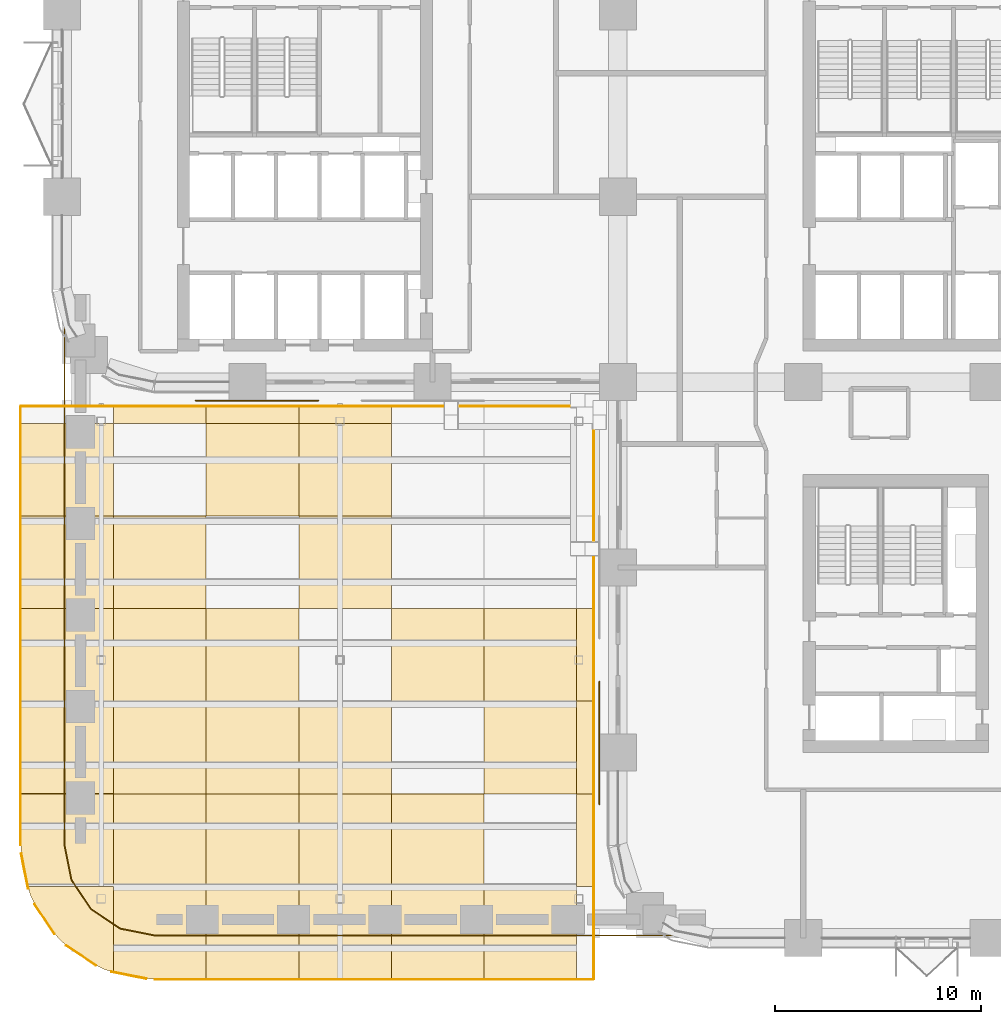
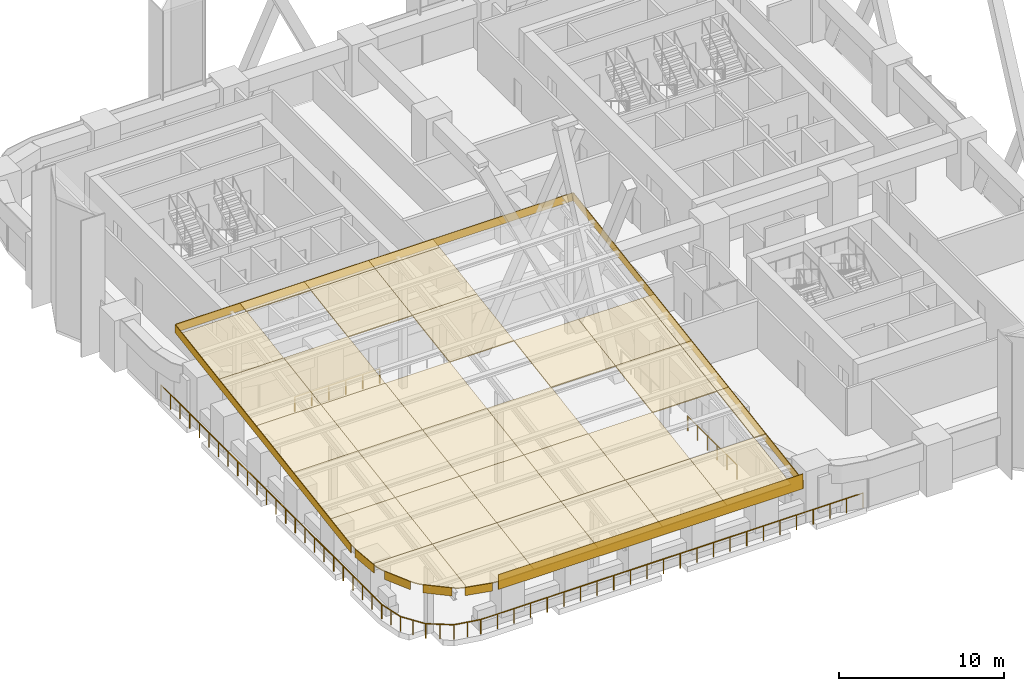
# One storey, part 19 of 22: 41 coverings, 3 railings.
"""IFC4 building model written with IfcOpenShell, lengths in metres."""

from ifc_helpers import new_model, si_unit, direction, frame, origin, origin_2d, place, context, subcontext, project, spatial, polyline, circle, outline, extrude, material, layer, layer_set, type_object, element, save


model = new_model("IFC4")

# Units and contexts
model_context = context("Model", 3, precision=1e-05, world=origin(), true_north=direction((0.0, 1.0)))
body_context = subcontext(model_context, "Body", "Model", "MODEL_VIEW")
ifc_project = project(units=[si_unit("LENGTHUNIT", "METRE"), si_unit("AREAUNIT", "SQUARE_METRE"), si_unit("VOLUMEUNIT", "CUBIC_METRE"), si_unit("PLANEANGLEUNIT", "RADIAN"), si_unit("MASSUNIT", "GRAM", prefix="KILO")], contexts=[model_context])

# Site, building, storey
site_placement = place(None, origin())
site = spatial("IfcSite", under=ifc_project, at=site_placement, CompositionType="ELEMENT")
building_placement = place(site_placement, origin())
building = spatial("IfcBuilding", under=site, at=building_placement, Name="Tessera Arch", CompositionType="ELEMENT")
storey_placement = place(building_placement, frame((0.0, 0.0, 77.800048828125)))
storey = spatial("IfcBuildingStorey", under=building, at=storey_placement, Name="L17", CompositionType="ELEMENT", Elevation=77.800048828125)

# Coverings
ifc_material_1 = material(Name="Aluminium cladding pale metal anodised", Category="aluminium")
ifc_layer_1 = layer(ifc_material_1, 0.0400390625)
ifc_layer_set_1 = layer_set([ifc_layer_1], Name="Canopy fascia pale metal")
covering_type_1 = type_object("IfcCoveringType", Name="Canopy fascia pale metal", PredefinedType="CLADDING", material=ifc_layer_set_1)
covering_1_placement = place(storey_placement, frame((25.800048828125, -2.0, 5.199951171875), z_axis=(-1.0, 0.0, 0.0), x_axis=(0.0, 0.987688444909, 0.156433806426)))
element("IfcCovering", 1, at=covering_1_placement, inside=storey, type_object=covering_type_1, Name="CANOPY T4 fascia 1", PredefinedType="CLADDING", context=body_context, shape_type="SweptSolid", body=[
    extrude(outline(polyline([(0.0, 0.0), (28.146576960999496, 0.0), (28.052701400404914, 0.5927095208951814), (-0.09387556059458327, 0.5927095208951817), (0.0, 0.0)])), origin(), (0.0, 0.0, -1.0), 0.0400390625),
])
covering_2_placement = place(storey_placement, frame((25.800048828125, 25.800048828125, 9.60302734375), z_axis=(0.0, -1.0, 0.0), x_axis=(-1.0, 0.0, 0.0)))
element("IfcCovering", 2, at=covering_2_placement, inside=storey, type_object=covering_type_1, Name="CANOPY T4 fascia 2", PredefinedType="CLADDING", context=body_context, shape_type="SweptSolid", body=[
    extrude(outline(polyline([(0.0, 0.0), (27.800048828125, 0.0), (27.800048828125, 0.60009765625), (0.0, 0.60009765625), (0.0, 0.0)])), origin(), (0.0, 0.0, -1.0), 0.0400390625),
])
covering_3_placement = place(storey_placement, frame((-2.0, 25.800048828125, 9.60302734375), z_axis=(1.0, 0.0, 0.0), x_axis=(0.0, -0.987689419787, -0.156427651141)))
element("IfcCovering", 3, at=covering_3_placement, inside=storey, type_object=covering_type_1, Name="CANOPY T4 fascia 3", PredefinedType="CLADDING", context=body_context, shape_type="SweptSolid", body=[
    extrude(outline(polyline([(0.0, 0.0), (21.564544318218562, 0.0), (21.65841618504097, 0.5927101059168969), (0.09387186682240876, 0.5927101059168969), (0.0, 0.0)])), origin(), (0.0, 0.0, -1.0), 0.0400390625),
])
covering_4_placement = place(storey_placement, frame((-1.96142578125, 4.10888671875, 6.16748046875), z_axis=(0.980778374738, 0.195125035928, 0.0), x_axis=(0.192813966517, -0.969161993015, -0.15345294266)))
element("IfcCovering", 4, at=covering_4_placement, inside=storey, type_object=covering_type_1, Name="CANOPY T4 fascia 7", PredefinedType="CLADDING", context=body_context, shape_type="SweptSolid", body=[
    extrude(outline(polyline([(0.0, 0.0), (1.7739431525801836, -5.551115123125783e-17), (1.8660299038151198, 0.5929900735119755), (0.0920867512349362, 0.5929900735119756), (0.0, 0.0)])), origin(), (0.0, 0.0, -1.0), 0.0400390625),
])
covering_5_placement = place(storey_placement, frame((-1.3193359375, 1.6650390625, 5.780517578125), z_axis=(0.831428006963, 0.555632494764, 0.0), x_axis=(0.550875866503, -0.824310363571, -0.13056877197)))
element("IfcCovering", 5, at=covering_5_placement, inside=storey, type_object=covering_type_1, Name="CANOPY T4 fascia 13", PredefinedType="CLADDING", context=body_context, shape_type="SweptSolid", body=[
    extrude(outline(polyline([(0.0, 0.0), (1.766983690997227, 2.7755575615628914e-17), (1.8453377050360258, 0.5949603730676111), (0.07835401403879873, 0.5949603730676111), (0.0, 0.0)])), origin(), (0.0, 0.0, -1.0), 0.0400390625),
])
covering_6_placement = place(storey_placement, frame((0.20849609375, -0.345947265625, 5.4619140625), z_axis=(0.555632494764, 0.831428006963, 0.0), x_axis=(0.828231863273, -0.553496553616, -0.087598777359)))
element("IfcCovering", 6, at=covering_6_placement, inside=storey, type_object=covering_type_1, Name="CANOPY T4 fascia 19", PredefinedType="CLADDING", context=body_context, shape_type="SweptSolid", body=[
    extrude(outline(polyline([(0.0, 0.0), (1.7586174033365118, -2.7755575615628914e-17), (1.811185224320171, 0.5977907838314114), (0.05254643456340548, 0.5975475817224483), (0.0, 0.0)])), origin(), (0.0, 0.0, -1.0), 0.0400390625),
])
covering_7_placement = place(storey_placement, frame((2.3896484375, -1.619384765625, 5.26025390625), z_axis=(0.195125035928, 0.980778374738, 0.0), x_axis=(0.980309900941, -0.195031833459, -0.030904401876)))
element("IfcCovering", 7, at=covering_7_placement, inside=storey, type_object=covering_type_1, Name="CANOPY T4 fascia 25", PredefinedType="CLADDING", context=body_context, shape_type="SweptSolid", body=[
    extrude(outline(polyline([(0.0, 0.0), (1.753770190018734, -6.938893903907228e-18), (1.7723158491521627, 0.599811016541085), (0.018545659133428778, 0.599811016541085), (0.0, 0.0)])), origin(), (0.0, 0.0, -1.0), 0.0400390625),
])
covering_8_placement = place(storey_placement, frame((4.5009765625, -2.0, 5.699951171875), z_axis=(0.0, 1.0, 0.0), x_axis=(1.0, 0.0, 0.0)))
element("IfcCovering", 8, at=covering_8_placement, inside=storey, type_object=covering_type_1, Name="CANOPY T4 fascia 29", PredefinedType="CLADDING", context=body_context, shape_type="SweptSolid", body=[
    extrude(outline(polyline([(0.0, 0.0), (21.299072265625, 0.0), (21.299072265625, 1.10009765625), (0.0, 1.10009765625), (0.0, 0.0)])), origin(), (0.0, 0.0, -1.0), 0.0400390625),
])
ifc_material_2 = material(Name="Aluminium cladding pale metal anodised", Category="aluminium")
ifc_layer_2 = layer(ifc_material_2, 0.080078125)
ifc_layer_set_2 = layer_set([ifc_layer_2], Name="Canopy panel pale metal")
covering_type_2 = type_object("IfcCoveringType", Name="Canopy panel pale metal", PredefinedType="CLADDING", material=ifc_layer_set_2)
covering_9_placement = place(storey_placement, frame((2.5, 2.5, 5.91259765625), z_axis=(8.891275e-06, -0.156394356386, 0.987694692307), x_axis=(-0.99999999996, -1.390545e-06, 8.781865e-06)))
element("IfcCovering", 9, at=covering_9_placement, inside=storey, type_object=covering_type_2, Name="CANOPY T4 panel 1-1", PredefinedType="CLADDING", context=body_context, shape_type="SweptSolid", body=[
    extrude(outline(polyline([(0.0, 0.0), (4.141357421711303, -8.76966545671063e-22), (4.0976562504270015, 0.20960008370753244), (4.040283202265709, 0.4006949330775962), (3.964843749408988, 0.5850881885816183), (3.8723144534454144, 0.7605714404081959), (3.81933593849055, 0.8453430650956698), (2.845947265953416, 2.3200450185447665), (2.7888183587833515, 2.40212596062184), (2.6638183583721733, 2.5563751132846324), (2.5241699217647695, 2.6975003968307565), (2.3715820316386305, 2.8242961292627196), (2.2915039057352864, 2.881411379535782), (0.8349609377135, 3.8669151825795818), (0.7519531253104847, 3.9200577038129185), (0.5778808582529025, 4.01425978719275), (0.39575195185558143, 4.090641863217693), (0.20703124918948632, 4.148721659088749), (-6.615524901620043e-11, 4.192954176644641), (0.0, 0.0)])), origin(), (0.0, 0.0, -1.0), 0.080078125),
])
covering_10_placement = place(storey_placement, frame((-1.641357421875, 2.5, 5.91259765625), z_axis=(8.571291e-06, -0.156468918039, 0.987682883123), x_axis=(0.999999999963, 1.341141e-06, -8.465718e-06)))
element("IfcCovering", 10, at=covering_10_placement, inside=storey, type_object=covering_type_2, Name="CANOPY T4 panel 1-2", PredefinedType="CLADDING", context=body_context, shape_type="SweptSolid", body=[
    extrude(outline(polyline([(0.0, 0.0), (4.141357421722874, 8.76966545671063e-22), (4.1413574217251305, 4.556118198994932), (-0.3586425781095688, 4.556118198994932), (-0.35864257932723514, 2.0259526452426537), (-0.3562011716689908, 1.925569410321855), (-0.33691406174938493, 1.7278111439353465), (-0.3200683593857594, 1.6289511109518144), (0.0, 0.0)])), origin(), (0.0, 0.0, -1.0), 0.080078125),
])
for number, where, z_axis, x_axis, name in (
    (11, (-2.0, 7.0, 6.62548828125), (0.0, -0.156416586978, 0.987691172036), (1.0, 0.0, 0.0), "CANOPY T4 panel 1-3"),
    (12, (-2.0, 11.5, 7.338134765625), (0.0, -0.156416586978, 0.987691172036), (1.0, 0.0, 0.0), "CANOPY T4 panel 1-4"),
):
    element("IfcCovering", number, at=place(storey_placement, frame(where, z_axis=z_axis, x_axis=x_axis)), inside=storey, type_object=covering_type_2, Name=name, PredefinedType="CLADDING", context=body_context, shape_type="SweptSolid", body=[
        extrude(outline(polyline([(0.0, 0.0), (4.5, 0.0), (4.5, 4.556080004970506), (0.0, 4.556080004970506), (0.0, 0.0)])), origin(), (0.0, 0.0, -1.0), 0.080078125),
    ])
covering_11_placement = place(storey_placement, frame((-2.0, 16.0, 8.05078125), z_axis=(0.0, -0.156468860961, 0.987682892203), x_axis=(1.0, 0.0, 0.0)))
element("IfcCovering", 13, at=covering_11_placement, inside=storey, type_object=covering_type_2, Name="CANOPY T4 panel 1-5", PredefinedType="CLADDING", context=body_context, shape_type="SweptSolid", body=[
    extrude(outline(polyline([(0.0, 0.0), (4.5, 0.0), (4.5, 4.556118198994939), (0.0, 4.556118198994939), (0.0, 0.0)])), origin(), (0.0, 0.0, -1.0), 0.080078125),
])
covering_12_placement = place(storey_placement, frame((-2.0, 20.5, 8.763671875), z_axis=(0.0, -0.156416586978, 0.987691172036), x_axis=(1.0, 0.0, 0.0)))
element("IfcCovering", 14, at=covering_12_placement, inside=storey, type_object=covering_type_2, Name="CANOPY T4 panel 1-6", PredefinedType="CLADDING", context=body_context, shape_type="SweptSolid", body=[
    extrude(outline(polyline([(0.0, 0.0), (4.5, 0.0), (4.5, 4.556080004970506), (0.0, 4.556080004970506), (0.0, 0.0)])), origin(), (0.0, 0.0, -1.0), 0.080078125),
])
covering_13_placement = place(storey_placement, frame((4.5009765625, -2.0, 5.199951171875), z_axis=(9.7222e-06, -0.156412823225, 0.987691768031), x_axis=(0.999999999953, 1.520677e-06, -9.602537e-06)))
element("IfcCovering", 15, at=covering_13_placement, inside=storey, type_object=covering_type_2, Name="CANOPY T4 panel 2-1", PredefinedType="CLADDING", context=body_context, shape_type="SweptSolid", body=[
    extrude(outline(polyline([(0.0, 0.0), (2.499023437381895, 0.0), (2.4990234372131015, 4.556080004937426), (-2.0009765625742264, 4.556080004937426), (-2.0009765632640644, 0.36312582888654854), (-0.39208984368178607, 0.03905410642995311), (-0.2944335935152074, 0.021995690157267992), (-0.09814453222151066, 0.0024877303045023765), (0.0, 0.0)])), origin(), (0.0, 0.0, -1.0), 0.080078125),
])
covering_14_placement = place(storey_placement, frame((7.0, 2.5, 5.91259765625), z_axis=(0.0, -0.156468860961, 0.987682892203), x_axis=(0.0, 0.987682892203, 0.156468860961)))
element("IfcCovering", 16, at=covering_14_placement, inside=storey, type_object=covering_type_2, Name="CANOPY T4 panel 2-2", PredefinedType="CLADDING", context=body_context, shape_type="SweptSolid", body=[
    extrude(outline(polyline([(0.0, 0.0), (4.556118198994939, 0.0), (4.556118198994939, 4.5), (0.0, 4.5), (0.0, 0.0)])), origin(), (0.0, 0.0, -1.0), 0.080078125),
])
for number, where, z_axis, x_axis, name in (
    (17, (7.0, 7.0, 6.62548828125), (0.0, -0.156416586978, 0.987691172036), (0.0, 0.987691172036, 0.156416586978), "CANOPY T4 panel 2-3"),
    (18, (7.0, 11.5, 7.338134765625), (0.0, -0.156416586978, 0.987691172036), (0.0, 0.987691172036, 0.156416586978), "CANOPY T4 panel 2-4"),
):
    element("IfcCovering", number, at=place(storey_placement, frame(where, z_axis=z_axis, x_axis=x_axis)), inside=storey, type_object=covering_type_2, Name=name, PredefinedType="CLADDING", context=body_context, shape_type="SweptSolid", body=[
        extrude(outline(polyline([(0.0, 0.0), (4.556080004970506, 0.0), (4.556080004970506, 4.5), (0.0, 4.5), (0.0, 0.0)])), origin(), (0.0, 0.0, -1.0), 0.080078125),
    ])
covering_15_placement = place(storey_placement, frame((7.0, 16.0, 8.05078125), z_axis=(0.0, -0.156468860961, 0.987682892203), x_axis=(0.0, 0.987682892203, 0.156468860961)))
element("IfcCovering", 19, at=covering_15_placement, inside=storey, type_object=covering_type_2, Name="CANOPY T4 panel 2-5", PredefinedType="CLADDING", context=body_context, shape_type="SweptSolid", body=[
    extrude(outline(polyline([(0.0, 0.0), (4.556118198994939, 0.0), (4.556118198994939, 4.5), (0.0, 4.5), (0.0, 0.0)])), origin(), (0.0, 0.0, -1.0), 0.080078125),
])
covering_16_placement = place(storey_placement, frame((2.5, 25.800048828125, 9.60302734375), z_axis=(0.0, -0.15642687598, 0.987689542554), x_axis=(0.0, -0.987689542554, -0.15642687598)))
element("IfcCovering", 20, at=covering_16_placement, inside=storey, type_object=covering_type_2, Name="CANOPY T4 panel 2-7", PredefinedType="CLADDING", context=body_context, shape_type="SweptSolid", body=[
    extrude(outline(polyline([(0.0, 0.0), (0.8100205516562711, 0.0), (0.8100205516562711, 4.5), (0.0, 4.5), (0.0, 0.0)])), origin(), (0.0, 0.0, -1.0), 0.080078125),
])
covering_17_placement = place(storey_placement, frame((11.5, -2.0, 5.199951171875), z_axis=(0.0, -0.156416586978, 0.987691172036), x_axis=(0.0, 0.987691172036, 0.156416586978)))
element("IfcCovering", 21, at=covering_17_placement, inside=storey, type_object=covering_type_2, Name="CANOPY T4 panel 3-1", PredefinedType="CLADDING", context=body_context, shape_type="SweptSolid", body=[
    extrude(outline(polyline([(0.0, 0.0), (4.556080004970506, 0.0), (4.556080004970506, 4.5), (0.0, 4.5), (0.0, 0.0)])), origin(), (0.0, 0.0, -1.0), 0.080078125),
])
covering_18_placement = place(storey_placement, frame((11.5, 2.5, 5.91259765625), z_axis=(0.0, -0.156468860961, 0.987682892203), x_axis=(0.0, 0.987682892203, 0.156468860961)))
element("IfcCovering", 22, at=covering_18_placement, inside=storey, type_object=covering_type_2, Name="CANOPY T4 panel 3-2", PredefinedType="CLADDING", context=body_context, shape_type="SweptSolid", body=[
    extrude(outline(polyline([(0.0, 0.0), (4.556118198994939, 0.0), (4.556118198994939, 4.5), (0.0, 4.5), (0.0, 0.0)])), origin(), (0.0, 0.0, -1.0), 0.080078125),
])
for number, where, z_axis, x_axis, name in (
    (23, (11.5, 7.0, 6.62548828125), (0.0, -0.156416586978, 0.987691172036), (0.0, 0.987691172036, 0.156416586978), "CANOPY T4 panel 3-3"),
    (24, (11.5, 11.5, 7.338134765625), (0.0, -0.156416586978, 0.987691172036), (0.0, 0.987691172036, 0.156416586978), "CANOPY T4 panel 3-4"),
    (25, (11.5, 20.5, 8.763671875), (0.0, -0.156416586978, 0.987691172036), (0.0, 0.987691172036, 0.156416586978), "CANOPY T4 panel 3-6"),
):
    element("IfcCovering", number, at=place(storey_placement, frame(where, z_axis=z_axis, x_axis=x_axis)), inside=storey, type_object=covering_type_2, Name=name, PredefinedType="CLADDING", context=body_context, shape_type="SweptSolid", body=[
        extrude(outline(polyline([(0.0, 0.0), (4.556080004970506, 0.0), (4.556080004970506, 4.5), (0.0, 4.5), (0.0, 0.0)])), origin(), (0.0, 0.0, -1.0), 0.080078125),
    ])
covering_19_placement = place(storey_placement, frame((7.0, 25.800048828125, 9.60302734375), z_axis=(0.0, -0.15642687598, 0.987689542554), x_axis=(0.0, -0.987689542554, -0.15642687598)))
element("IfcCovering", 26, at=covering_19_placement, inside=storey, type_object=covering_type_2, Name="CANOPY T4 panel 3-7", PredefinedType="CLADDING", context=body_context, shape_type="SweptSolid", body=[
    extrude(outline(polyline([(0.0, 0.0), (0.8100205516562711, 0.0), (0.8100205516562711, 4.5), (0.0, 4.5), (0.0, 0.0)])), origin(), (0.0, 0.0, -1.0), 0.080078125),
])
covering_20_placement = place(storey_placement, frame((16.0, -2.0, 5.199951171875), z_axis=(0.0, -0.156416586978, 0.987691172036), x_axis=(0.0, 0.987691172036, 0.156416586978)))
element("IfcCovering", 27, at=covering_20_placement, inside=storey, type_object=covering_type_2, Name="CANOPY T4 panel 4-1", PredefinedType="CLADDING", context=body_context, shape_type="SweptSolid", body=[
    extrude(outline(polyline([(0.0, 0.0), (4.556080004970506, 0.0), (4.556080004970506, 4.5), (0.0, 4.5), (0.0, 0.0)])), origin(), (0.0, 0.0, -1.0), 0.080078125),
])
covering_21_placement = place(storey_placement, frame((16.0, 2.5, 5.91259765625), z_axis=(0.0, -0.156468860961, 0.987682892203), x_axis=(0.0, 0.987682892203, 0.156468860961)))
element("IfcCovering", 28, at=covering_21_placement, inside=storey, type_object=covering_type_2, Name="CANOPY T4 panel 4-2", PredefinedType="CLADDING", context=body_context, shape_type="SweptSolid", body=[
    extrude(outline(polyline([(0.0, 0.0), (4.556118198994939, 0.0), (4.556118198994939, 4.5), (0.0, 4.5), (0.0, 0.0)])), origin(), (0.0, 0.0, -1.0), 0.080078125),
])
covering_22_placement = place(storey_placement, frame((16.0, 7.0, 6.62548828125), z_axis=(0.0, -0.156416586978, 0.987691172036), x_axis=(0.0, 0.987691172036, 0.156416586978)))
element("IfcCovering", 29, at=covering_22_placement, inside=storey, type_object=covering_type_2, Name="CANOPY T4 panel 4-3", PredefinedType="CLADDING", context=body_context, shape_type="SweptSolid", body=[
    extrude(outline(polyline([(0.0, 0.0), (4.556080004970506, 0.0), (4.556080004970506, 4.5), (0.0, 4.5), (0.0, 0.0)])), origin(), (0.0, 0.0, -1.0), 0.080078125),
])
covering_23_placement = place(storey_placement, frame((16.0, 16.0, 8.05078125), z_axis=(0.0, -0.156468860961, 0.987682892203), x_axis=(0.0, 0.987682892203, 0.156468860961)))
element("IfcCovering", 30, at=covering_23_placement, inside=storey, type_object=covering_type_2, Name="CANOPY T4 panel 4-5", PredefinedType="CLADDING", context=body_context, shape_type="SweptSolid", body=[
    extrude(outline(polyline([(0.0, 0.0), (4.556118198994939, 0.0), (4.556118198994939, 4.5), (0.0, 4.5), (0.0, 0.0)])), origin(), (0.0, 0.0, -1.0), 0.080078125),
])
covering_24_placement = place(storey_placement, frame((16.0, 20.5, 8.763671875), z_axis=(0.0, -0.156416586978, 0.987691172036), x_axis=(0.0, 0.987691172036, 0.156416586978)))
element("IfcCovering", 31, at=covering_24_placement, inside=storey, type_object=covering_type_2, Name="CANOPY T4 panel 4-6", PredefinedType="CLADDING", context=body_context, shape_type="SweptSolid", body=[
    extrude(outline(polyline([(0.0, 0.0), (4.556080004970506, 0.0), (4.556080004970506, 4.5), (0.0, 4.5), (0.0, 0.0)])), origin(), (0.0, 0.0, -1.0), 0.080078125),
])
covering_25_placement = place(storey_placement, frame((11.5, 25.800048828125, 9.60302734375), z_axis=(0.0, -0.15642687598, 0.987689542554), x_axis=(0.0, -0.987689542554, -0.15642687598)))
element("IfcCovering", 32, at=covering_25_placement, inside=storey, type_object=covering_type_2, Name="CANOPY T4 panel 4-7", PredefinedType="CLADDING", context=body_context, shape_type="SweptSolid", body=[
    extrude(outline(polyline([(0.0, 0.0), (0.8100205516562711, 0.0), (0.8100205516562711, 4.5), (0.0, 4.5), (0.0, 0.0)])), origin(), (0.0, 0.0, -1.0), 0.080078125),
])
covering_26_placement = place(storey_placement, frame((20.5, -2.0, 5.199951171875), z_axis=(0.0, -0.156416586978, 0.987691172036), x_axis=(0.0, 0.987691172036, 0.156416586978)))
element("IfcCovering", 33, at=covering_26_placement, inside=storey, type_object=covering_type_2, Name="CANOPY T4 panel 5-1", PredefinedType="CLADDING", context=body_context, shape_type="SweptSolid", body=[
    extrude(outline(polyline([(0.0, 0.0), (4.556080004970506, 0.0), (4.556080004970506, 4.5), (0.0, 4.5), (0.0, 0.0)])), origin(), (0.0, 0.0, -1.0), 0.080078125),
])
covering_27_placement = place(storey_placement, frame((20.5, 2.5, 5.91259765625), z_axis=(0.0, -0.156468860961, 0.987682892203), x_axis=(0.0, 0.987682892203, 0.156468860961)))
element("IfcCovering", 34, at=covering_27_placement, inside=storey, type_object=covering_type_2, Name="CANOPY T4 panel 5-2", PredefinedType="CLADDING", context=body_context, shape_type="SweptSolid", body=[
    extrude(outline(polyline([(0.0, 0.0), (4.556118198994939, 0.0), (4.556118198994939, 4.5), (0.0, 4.5), (0.0, 0.0)])), origin(), (0.0, 0.0, -1.0), 0.080078125),
])
for number, where, z_axis, x_axis, name in (
    (35, (20.5, 11.5, 7.338134765625), (0.0, -0.156416586978, 0.987691172036), (0.0, 0.987691172036, 0.156416586978), "CANOPY T4 panel 5-4"),
    (36, (25.0, -2.0, 5.199951171875), (0.0, -0.156416586978, 0.987691172036), (0.0, 0.987691172036, 0.156416586978), "CANOPY T4 panel 6-1"),
    (37, (25.0, 7.0, 6.62548828125), (0.0, -0.156416586978, 0.987691172036), (0.0, 0.987691172036, 0.156416586978), "CANOPY T4 panel 6-3"),
    (38, (25.0, 11.5, 7.338134765625), (0.0, -0.156416586978, 0.987691172036), (0.0, 0.987691172036, 0.156416586978), "CANOPY T4 panel 6-4"),
):
    element("IfcCovering", number, at=place(storey_placement, frame(where, z_axis=z_axis, x_axis=x_axis)), inside=storey, type_object=covering_type_2, Name=name, PredefinedType="CLADDING", context=body_context, shape_type="SweptSolid", body=[
        extrude(outline(polyline([(0.0, 0.0), (4.556080004970506, 0.0), (4.556080004970506, 4.5), (0.0, 4.5), (0.0, 0.0)])), origin(), (0.0, 0.0, -1.0), 0.080078125),
    ])
covering_28_placement = place(storey_placement, frame((25.800048828125, 7.0, 6.62548828125), z_axis=(0.0, -0.156468860961, 0.987682892203), x_axis=(-1.0, 0.0, 0.0)))
element("IfcCovering", 39, at=covering_28_placement, inside=storey, type_object=covering_type_2, Name="CANOPY T4 panel 7-2", PredefinedType="CLADDING", context=body_context, shape_type="SweptSolid", body=[
    extrude(outline(polyline([(0.0, 0.0), (0.800048828125, 0.0), (0.800048828125, 4.556118198994938), (0.0, 4.556118198994938), (0.0, 0.0)])), origin(), (0.0, 0.0, -1.0), 0.080078125),
])
for number, where, z_axis, x_axis, name in (
    (40, (25.800048828125, 11.5, 7.338134765625), (0.0, -0.156416586978, 0.987691172036), (-1.0, 0.0, 0.0), "CANOPY T4 panel 7-3"),
    (41, (25.800048828125, 16.0, 8.05078125), (0.0, -0.156416586978, 0.987691172036), (-1.0, 0.0, 0.0), "CANOPY T4 panel 7-4"),
):
    element("IfcCovering", number, at=place(storey_placement, frame(where, z_axis=z_axis, x_axis=x_axis)), inside=storey, type_object=covering_type_2, Name=name, PredefinedType="CLADDING", context=body_context, shape_type="SweptSolid", body=[
        extrude(outline(polyline([(0.0, 0.0), (0.800048828125, 0.0), (0.800048828125, 4.556080004970506), (0.0, 4.556080004970506), (0.0, 0.0)])), origin(), (0.0, 0.0, -1.0), 0.080078125),
    ])

# Railings
ifc_material_3 = material(Name="Stainless steel and clear glass", Category="steel")
railing_type = type_object("IfcRailingType", Name="Guard 1100", PredefinedType="GUARDRAIL", material=ifc_material_3)
railing_1_placement = place(storey_placement, frame((31.24365234375, 0.1201171875, 0.0)))
element("IfcRailing", 42, at=railing_1_placement, inside=storey, type_object=railing_type, Name="Guard tube roof terrace 1", PredefinedType="GUARDRAIL", context=body_context, shape_type="SweptSolid", body=[
    extrude(circle(Radius=0.02490234375, at=origin_2d()), frame((0.00390625, 0.0, 1.0751953125), z_axis=(-1.0, 0.0, 0.0), x_axis=(0.0, -1.0, 0.0)), (0.0, 0.0, 1.0), 26.739013671875),
    extrude(circle(Radius=0.02490234375, at=origin_2d()), frame((-26.72705078125, -0.000732421875, 1.0751953125), z_axis=(-0.980831147475, 0.194859590839, 0.0), x_axis=(-0.194859590839, -0.980831147475, 0.0)), (0.0, 0.0, 1.0), 1.72705078125),
    extrude(circle(Radius=0.02490234375, at=origin_2d()), frame((-28.41357421875, 0.332763671875, 1.0751953125), z_axis=(-0.831632230003, 0.555326781293, 0.0), x_axis=(-0.555326781293, -0.831632230003, 0.0)), (0.0, 0.0, 1.0), 1.716064453125),
    extrude(circle(Radius=0.02490234375, at=origin_2d()), frame((-29.835205078125, 1.280029296875, 1.0751953125), z_axis=(-0.555986207166, 0.831191516704, 0.0), x_axis=(-0.831191516704, -0.555986207166, 0.0)), (0.0, 0.0, 1.0), 1.7158203125),
    extrude(circle(Radius=0.02490234375, at=origin_2d()), frame((-30.7861328125, 2.698974609375, 1.0751953125), z_axis=(-0.195597844923, 0.980684191298, 0.0), x_axis=(-0.980684191298, -0.195597844923, 0.0)), (0.0, 0.0, 1.0), 1.729248046875),
    extrude(circle(Radius=0.02490234375, at=origin_2d()), frame((-31.12353515625, 4.386962890625, 1.0751953125), z_axis=(0.0, 1.0, 0.0), x_axis=(-1.0, 0.0, 0.0)), (0.0, 0.0, 1.0), 26.74072265625),
    extrude(circle(Radius=0.02001953125, at=origin_2d()), origin(), (0.0, 0.0, 1.0), 1.06201171875),
    extrude(circle(Radius=0.02001953125, at=origin_2d()), frame((-1.162109375, 0.0, 0.0)), (0.0, 0.0, 1.0), 1.06201171875),
    extrude(circle(Radius=0.02001953125, at=origin_2d()), frame((-2.324462890625, 0.0, 0.0)), (0.0, 0.0, 1.0), 1.06201171875),
    extrude(circle(Radius=0.02001953125, at=origin_2d()), frame((-3.486572265625, 0.0, 0.0)), (0.0, 0.0, 1.0), 1.06201171875),
    extrude(circle(Radius=0.02001953125, at=origin_2d()), frame((-4.64892578125, 0.0, 0.0)), (0.0, 0.0, 1.0), 1.06201171875),
    extrude(circle(Radius=0.02001953125, at=origin_2d()), frame((-5.81103515625, 0.0, 0.0)), (0.0, 0.0, 1.0), 1.06201171875),
    extrude(circle(Radius=0.02001953125, at=origin_2d()), frame((-6.973388671875, 0.0, 0.0)), (0.0, 0.0, 1.0), 1.06201171875),
    extrude(circle(Radius=0.02001953125, at=origin_2d()), frame((-8.135498046875, 0.0, 0.0)), (0.0, 0.0, 1.0), 1.06201171875),
    extrude(circle(Radius=0.02001953125, at=origin_2d()), frame((-9.297607421875, 0.0, 0.0)), (0.0, 0.0, 1.0), 1.06201171875),
    extrude(circle(Radius=0.02001953125, at=origin_2d()), frame((-10.4599609375, 0.0, 0.0)), (0.0, 0.0, 1.0), 1.06201171875),
    extrude(circle(Radius=0.02001953125, at=origin_2d()), frame((-11.6220703125, 0.0, 0.0)), (0.0, 0.0, 1.0), 1.06201171875),
    extrude(circle(Radius=0.02001953125, at=origin_2d()), frame((-12.784423828125, 0.0, 0.0)), (0.0, 0.0, 1.0), 1.06201171875),
    extrude(circle(Radius=0.02001953125, at=origin_2d()), frame((-13.946533203125, 0.0, 0.0)), (0.0, 0.0, 1.0), 1.06201171875),
    extrude(circle(Radius=0.02001953125, at=origin_2d()), frame((-15.10888671875, 0.0, 0.0)), (0.0, 0.0, 1.0), 1.06201171875),
    extrude(circle(Radius=0.02001953125, at=origin_2d()), frame((-16.27099609375, 0.0, 0.0)), (0.0, 0.0, 1.0), 1.06201171875),
    extrude(circle(Radius=0.02001953125, at=origin_2d()), frame((-17.433349609375, 0.0, 0.0)), (0.0, 0.0, 1.0), 1.06201171875),
    extrude(circle(Radius=0.02001953125, at=origin_2d()), frame((-18.595458984375, 0.0, 0.0)), (0.0, 0.0, 1.0), 1.06201171875),
    extrude(circle(Radius=0.02001953125, at=origin_2d()), frame((-19.757568359375, 0.0, 0.0)), (0.0, 0.0, 1.0), 1.06201171875),
    extrude(circle(Radius=0.02001953125, at=origin_2d()), frame((-20.919921875, 0.0, 0.0)), (0.0, 0.0, 1.0), 1.06201171875),
    extrude(circle(Radius=0.02001953125, at=origin_2d()), frame((-22.08203125, 0.0, 0.0)), (0.0, 0.0, 1.0), 1.06201171875),
    extrude(circle(Radius=0.02001953125, at=origin_2d()), frame((-23.244384765625, 0.0, 0.0)), (0.0, 0.0, 1.0), 1.06201171875),
    extrude(circle(Radius=0.02001953125, at=origin_2d()), frame((-24.406494140625, 0.0, 0.0)), (0.0, 0.0, 1.0), 1.06201171875),
    extrude(circle(Radius=0.02001953125, at=origin_2d()), frame((-25.56884765625, 0.0, 0.0)), (0.0, 0.0, 1.0), 1.06201171875),
    extrude(circle(Radius=0.02001953125, at=origin_2d()), frame((-26.73095703125, 0.0, 0.0)), (0.0, 0.0, 1.0), 1.06201171875),
    extrude(circle(Radius=0.02001953125, at=origin_2d()), frame((-27.573974609375, 0.16748046875, 0.0)), (0.0, 0.0, 1.0), 1.06201171875),
    extrude(circle(Radius=0.02001953125, at=origin_2d()), frame((-28.4169921875, 0.3349609375, 0.0)), (0.0, 0.0, 1.0), 1.06201171875),
    extrude(circle(Radius=0.02001953125, at=origin_2d()), frame((-29.127197265625, 0.80908203125, 0.0)), (0.0, 0.0, 1.0), 1.06201171875),
    extrude(circle(Radius=0.02001953125, at=origin_2d()), frame((-29.83740234375, 1.283447265625, 0.0)), (0.0, 0.0, 1.0), 1.06201171875),
    extrude(circle(Radius=0.02001953125, at=origin_2d()), frame((-30.31201171875, 1.9931640625, 0.0)), (0.0, 0.0, 1.0), 1.06201171875),
    extrude(circle(Radius=0.02001953125, at=origin_2d()), frame((-30.786865234375, 2.702880859375, 0.0)), (0.0, 0.0, 1.0), 1.06201171875),
    extrude(circle(Radius=0.02001953125, at=origin_2d()), frame((-30.955078125, 3.546875, 0.0)), (0.0, 0.0, 1.0), 1.06201171875),
    extrude(circle(Radius=0.02001953125, at=origin_2d()), frame((-31.12353515625, 4.390869140625, 0.0)), (0.0, 0.0, 1.0), 1.06201171875),
    extrude(circle(Radius=0.02001953125, at=origin_2d()), frame((-31.12353515625, 5.55322265625, 0.0)), (0.0, 0.0, 1.0), 1.06201171875),
    extrude(circle(Radius=0.02001953125, at=origin_2d()), frame((-31.12353515625, 6.71533203125, 0.0)), (0.0, 0.0, 1.0), 1.06201171875),
    extrude(circle(Radius=0.02001953125, at=origin_2d()), frame((-31.12353515625, 7.877685546875, 0.0)), (0.0, 0.0, 1.0), 1.06201171875),
    extrude(circle(Radius=0.02001953125, at=origin_2d()), frame((-31.12353515625, 9.0400390625, 0.0)), (0.0, 0.0, 1.0), 1.06201171875),
    extrude(circle(Radius=0.02001953125, at=origin_2d()), frame((-31.12353515625, 10.202392578125, 0.0)), (0.0, 0.0, 1.0), 1.06201171875),
    extrude(circle(Radius=0.02001953125, at=origin_2d()), frame((-31.12353515625, 11.364501953125, 0.0)), (0.0, 0.0, 1.0), 1.06201171875),
    extrude(circle(Radius=0.02001953125, at=origin_2d()), frame((-31.12353515625, 12.52685546875, 0.0)), (0.0, 0.0, 1.0), 1.06201171875),
    extrude(circle(Radius=0.02001953125, at=origin_2d()), frame((-31.12353515625, 13.689208984375, 0.0)), (0.0, 0.0, 1.0), 1.06201171875),
    extrude(circle(Radius=0.02001953125, at=origin_2d()), frame((-31.12353515625, 14.8515625, 0.0)), (0.0, 0.0, 1.0), 1.06201171875),
    extrude(circle(Radius=0.02001953125, at=origin_2d()), frame((-31.12353515625, 16.013671875, 0.0)), (0.0, 0.0, 1.0), 1.06201171875),
    extrude(circle(Radius=0.02001953125, at=origin_2d()), frame((-31.12353515625, 17.176025390625, 0.0)), (0.0, 0.0, 1.0), 1.06201171875),
    extrude(circle(Radius=0.02001953125, at=origin_2d()), frame((-31.12353515625, 18.33837890625, 0.0)), (0.0, 0.0, 1.0), 1.06201171875),
    extrude(circle(Radius=0.02001953125, at=origin_2d()), frame((-31.12353515625, 19.500732421875, 0.0)), (0.0, 0.0, 1.0), 1.06201171875),
    extrude(circle(Radius=0.02001953125, at=origin_2d()), frame((-31.12353515625, 20.662841796875, 0.0)), (0.0, 0.0, 1.0), 1.06201171875),
    extrude(circle(Radius=0.02001953125, at=origin_2d()), frame((-31.12353515625, 21.8251953125, 0.0)), (0.0, 0.0, 1.0), 1.06201171875),
    extrude(circle(Radius=0.02001953125, at=origin_2d()), frame((-31.12353515625, 22.987548828125, 0.0)), (0.0, 0.0, 1.0), 1.06201171875),
    extrude(circle(Radius=0.02001953125, at=origin_2d()), frame((-31.12353515625, 24.14990234375, 0.0)), (0.0, 0.0, 1.0), 1.06201171875),
    extrude(circle(Radius=0.02001953125, at=origin_2d()), frame((-31.12353515625, 25.31201171875, 0.0)), (0.0, 0.0, 1.0), 1.06201171875),
    extrude(circle(Radius=0.02001953125, at=origin_2d()), frame((-31.12353515625, 26.474365234375, 0.0)), (0.0, 0.0, 1.0), 1.06201171875),
    extrude(circle(Radius=0.02001953125, at=origin_2d()), frame((-31.12353515625, 27.63671875, 0.0)), (0.0, 0.0, 1.0), 1.06201171875),
    extrude(circle(Radius=0.02001953125, at=origin_2d()), frame((-31.12353515625, 28.799072265625, 0.0)), (0.0, 0.0, 1.0), 1.06201171875),
    extrude(circle(Radius=0.02001953125, at=origin_2d()), frame((-31.12353515625, 29.961181640625, 0.0)), (0.0, 0.0, 1.0), 1.06201171875),
    extrude(circle(Radius=0.02001953125, at=origin_2d()), frame((-31.12353515625, 31.12353515625, 0.0)), (0.0, 0.0, 1.0), 1.06201171875),
])
railing_2_placement = place(storey_placement, frame((6.5, 26.10009765625, 0.0)))
element("IfcRailing", 43, at=railing_2_placement, inside=storey, type_object=railing_type, Name="Guard terrace wall side 1.1", PredefinedType="GUARDRAIL", context=body_context, shape_type="SweptSolid", body=[
    extrude(circle(Radius=0.02490234375, at=origin_2d()), frame((-0.00390625, 0.0, 1.0751953125), z_axis=(1.0, 0.0, 0.0), x_axis=(0.0, 1.0, 0.0)), (0.0, 0.0, 1.0), 5.9580078125),
    extrude(circle(Radius=0.02001953125, at=origin_2d()), origin(), (0.0, 0.0, 1.0), 1.06201171875),
    extrude(circle(Radius=0.02001953125, at=origin_2d()), frame((1.18994140625, 0.0, 0.0)), (0.0, 0.0, 1.0), 1.06201171875),
    extrude(circle(Radius=0.02001953125, at=origin_2d()), frame((2.3798828125, 0.0, 0.0)), (0.0, 0.0, 1.0), 1.06201171875),
    extrude(circle(Radius=0.02001953125, at=origin_2d()), frame((3.570068359375, 0.0, 0.0)), (0.0, 0.0, 1.0), 1.06201171875),
    extrude(circle(Radius=0.02001953125, at=origin_2d()), frame((4.760009765625, 0.0, 0.0)), (0.0, 0.0, 1.0), 1.06201171875),
    extrude(circle(Radius=0.02001953125, at=origin_2d()), frame((5.949951171875, 0.0, 0.0)), (0.0, 0.0, 1.0), 1.06201171875),
])
railing_3_placement = place(storey_placement, frame((26.10009765625, 12.449951171875, 0.0)))
element("IfcRailing", 44, at=railing_3_placement, inside=storey, type_object=railing_type, Name="Guard terrace wall side 1.4", PredefinedType="GUARDRAIL", context=body_context, shape_type="SweptSolid", body=[
    extrude(circle(Radius=0.02490234375, at=origin_2d()), frame((0.0, 0.00390625, 1.0751953125), z_axis=(0.0, -1.0, 0.0), x_axis=(1.0, 0.0, 0.0)), (0.0, 0.0, 1.0), 5.9580078125),
    extrude(circle(Radius=0.02001953125, at=origin_2d()), origin(), (0.0, 0.0, 1.0), 1.06201171875),
    extrude(circle(Radius=0.02001953125, at=origin_2d()), frame((0.0, -1.18994140625, 0.0)), (0.0, 0.0, 1.0), 1.06201171875),
    extrude(circle(Radius=0.02001953125, at=origin_2d()), frame((0.0, -2.3798828125, 0.0)), (0.0, 0.0, 1.0), 1.06201171875),
    extrude(circle(Radius=0.02001953125, at=origin_2d()), frame((0.0, -3.570068359375, 0.0)), (0.0, 0.0, 1.0), 1.06201171875),
    extrude(circle(Radius=0.02001953125, at=origin_2d()), frame((0.0, -4.760009765625, 0.0)), (0.0, 0.0, 1.0), 1.06201171875),
    extrude(circle(Radius=0.02001953125, at=origin_2d()), frame((0.0, -5.949951171875, 0.0)), (0.0, 0.0, 1.0), 1.06201171875),
])

save(model, "model.ifc")
